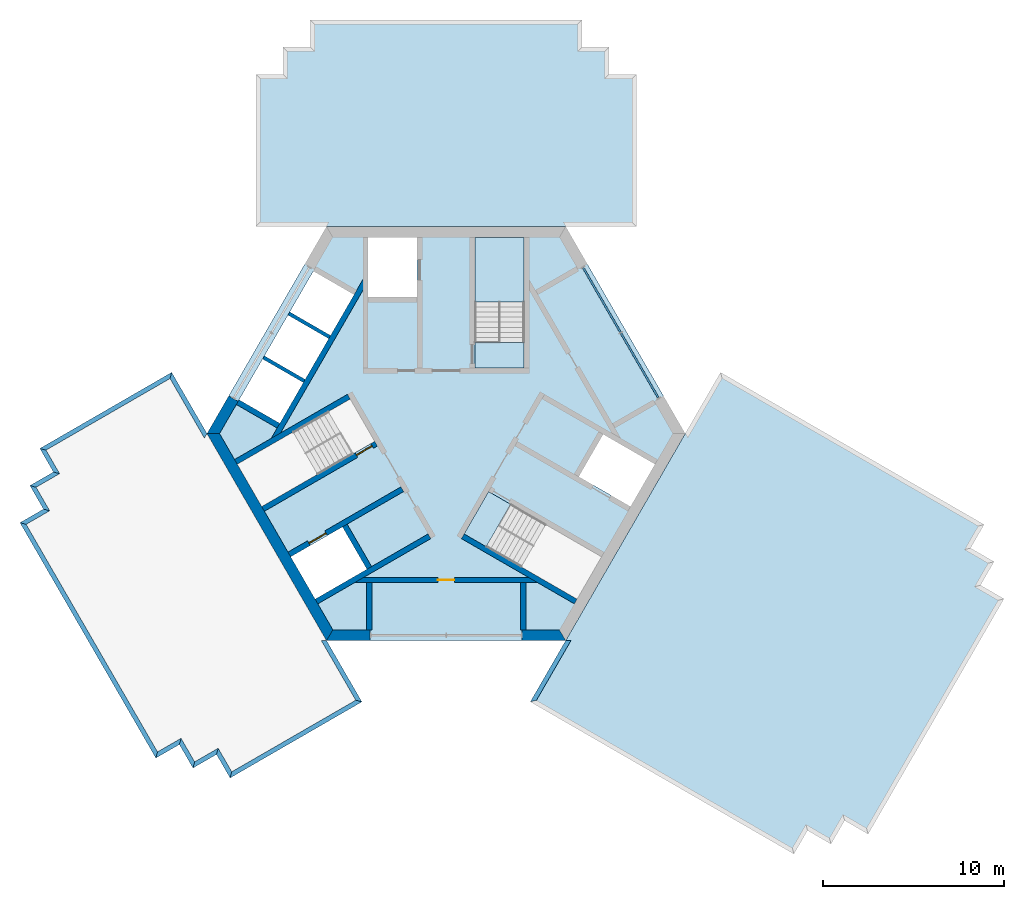
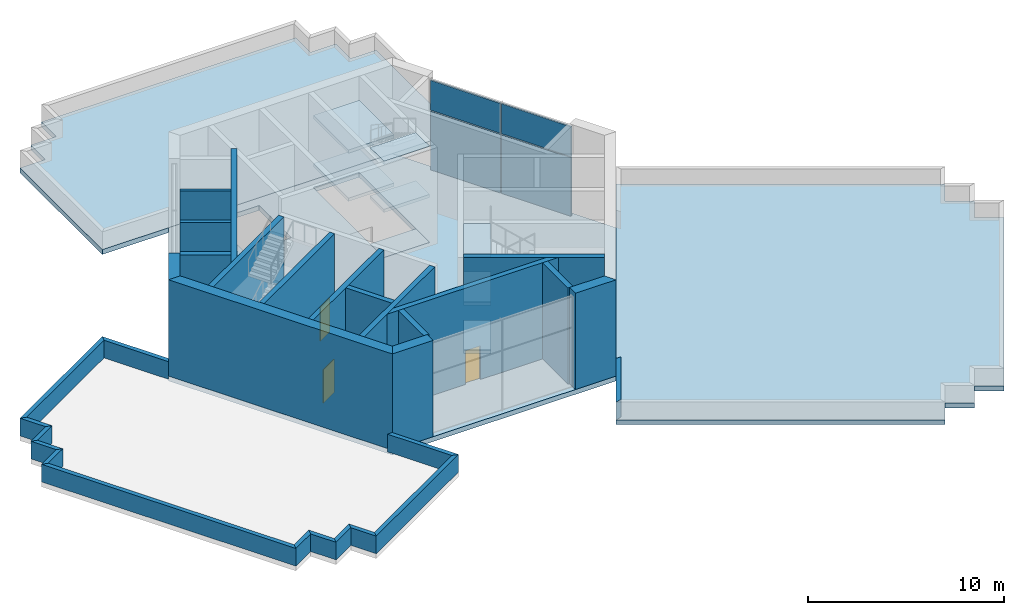
# One storey, part 2 of 5: 31 walls, 11 slabs, 4 plates, 3 doors, 3 openings, 3 elements without a shape of their own.
"""IFC4 building model written with IfcOpenShell, lengths in metres."""

from ifc_helpers import new_model, si_unit, direction, frame, frame_2d, origin, origin_2d, place, context, subcontext, project, spatial, polyline, rectangle, outline, extrude, material, layer, layer_set, type_object, element, fill, aggregate, save


model = new_model("IFC4")

# Units and contexts
model_context = context("Model", 3, precision=1e-05, world=origin(), true_north=direction((0.0, 1.0)))
body_context = subcontext(model_context, "Body", "Model", "MODEL_VIEW")
ifc_project = project(units=[si_unit("LENGTHUNIT", "METRE"), si_unit("AREAUNIT", "SQUARE_METRE"), si_unit("VOLUMEUNIT", "CUBIC_METRE"), si_unit("PLANEANGLEUNIT", "RADIAN"), si_unit("MASSUNIT", "GRAM", prefix="KILO")], contexts=[model_context])

# Site, building, storey
site_placement = place(None, origin())
site = spatial("IfcSite", under=ifc_project, at=site_placement, CompositionType="ELEMENT")
building_placement = place(site_placement, origin())
building = spatial("IfcBuilding", under=site, at=building_placement, Name="Impinga Residences", CompositionType="ELEMENT")
storey_placement = place(building_placement, frame((0.0, 0.0, 295.75)))
storey = spatial("IfcBuildingStorey", under=building, at=storey_placement, Name="L74", CompositionType="ELEMENT", Elevation=295.75)

# Curtain wall, plates
ifc_material_1 = material(Name="Aluminium stick curtain wall", Category="aluminium")
curtain_wall_type = type_object("IfcCurtainWallType", Name="CW4 plant floor louvred curtain wall", PredefinedType="USERDEFINED", material=ifc_material_1)
curtain_wall_placement = place(storey_placement, origin())
curtain_wall = element("IfcCurtainWall", 1, at=curtain_wall_placement, inside=storey, type_object=curtain_wall_type, Name="Curtain wall CW4 L74", ObjectType="STICK CURTAIN WALL", PredefinedType="USERDEFINED")
ifc_material_2 = material(Name="Aluminium louvre blade panel", Category="aluminium")
ifc_layer_1 = layer(ifc_material_2, 0.10009765625)
ifc_layer_set_1 = layer_set([ifc_layer_1], Name="CW4-P louvre panel 100")
plate_type = type_object("IfcPlateType", Name="CW4-P louvre panel 100", PredefinedType="CURTAIN_PANEL", material=ifc_layer_set_1)
plate_1_placement = place(storey_placement, frame((10.6826171875, 3.760009765625, 0.06005859375), z_axis=(0.0, 0.0, 1.0), x_axis=(-0.500000020194, 0.866025392126, 0.0)))
plate_1 = element("IfcPlate", 2, at=plate_1_placement, type_object=plate_type, Name="CW4 panel 1.1", PredefinedType="CURTAIN_PANEL", context=body_context, shape_type="SweptSolid", body=[
    extrude(rectangle(XDim=4.110107421875, YDim=0.10009765625, at=origin_2d()), origin(), (0.0, 0.0, 1.0), 3.659912109375),
])
plate_2_placement = place(storey_placement, frame((10.6826171875, 3.760009765625, 3.77978515625), z_axis=(0.0, 0.0, 1.0), x_axis=(-0.500000020194, 0.866025392126, 0.0)))
plate_2 = element("IfcPlate", 3, at=plate_2_placement, type_object=plate_type, Name="CW4 panel 1.2", PredefinedType="CURTAIN_PANEL", context=body_context, shape_type="SweptSolid", body=[
    extrude(rectangle(XDim=4.110107421875, YDim=0.10009765625, at=origin_2d()), origin(), (0.0, 0.0, 1.0), 1.860107421875),
])
plate_3_placement = place(storey_placement, frame((8.59765625, 7.371337890625, 0.06005859375), z_axis=(0.0, 0.0, 1.0), x_axis=(-0.500000020194, 0.866025392126, 0.0)))
plate_3 = element("IfcPlate", 4, at=plate_3_placement, type_object=plate_type, Name="CW4 panel 2.1", PredefinedType="CURTAIN_PANEL", context=body_context, shape_type="SweptSolid", body=[
    extrude(rectangle(XDim=4.110107421875, YDim=0.10009765625, at=origin_2d()), origin(), (0.0, 0.0, 1.0), 3.659912109375),
])
plate_4_placement = place(storey_placement, frame((8.59765625, 7.371337890625, 3.77978515625), z_axis=(0.0, 0.0, 1.0), x_axis=(-0.500000020194, 0.866025392126, 0.0)))
plate_4 = element("IfcPlate", 5, at=plate_4_placement, type_object=plate_type, Name="CW4 panel 2.2", PredefinedType="CURTAIN_PANEL", context=body_context, shape_type="SweptSolid", body=[
    extrude(rectangle(XDim=4.110107421875, YDim=0.10009765625, at=origin_2d()), origin(), (0.0, 0.0, 1.0), 1.860107421875),
])
aggregate(curtain_wall, [plate_1, plate_2, plate_3, plate_4])

# Slabs
ifc_material_3 = material(Name="Concrete C60/75", Category="concrete")
ifc_layer_2 = layer(ifc_material_3, 0.300048828125)
ifc_layer_set_2 = layer_set([ifc_layer_2], Name="Concrete C60/75")
slab_type_1 = type_object("IfcSlabType", Name="FS2 podium, plant and crown floor slab 300", PredefinedType="FLOOR", material=ifc_layer_set_2)
slab_1_placement = place(storey_placement, frame((0.0, 0.0, -0.300048828125)))
element("IfcSlab", 6, at=slab_1_placement, inside=storey, type_object=slab_type_1, Name="Floor slab FS2 L74", PredefinedType="FLOOR", context=body_context, shape_type="SweptSolid", body=[
    extrude(outline(polyline([(6.60009765625, -11.431640625), (-6.60009765625, -11.431640625), (-13.199951171875, 0.0), (-6.60009765625, 11.431640625), (6.60009765625, 11.431640625), (13.199951171875, 0.0), (6.60009765625, -11.431640625)]), holes=[polyline([(-8.580322265625, -6.801513671875), (-7.23046875, -9.1396484375), (-4.37109375, -7.489013671875), (-5.72119140625, -5.150634765625), (-8.580322265625, -6.801513671875)]), polyline([(7.23046875, -9.1396484375), (8.580322265625, -6.801513671875), (2.34375, -3.20068359375), (0.99365234375, -5.538818359375), (7.23046875, -9.1396484375)]), polyline([(10.180419921875, -4.030029296875), (11.5302734375, -1.69189453125), (8.671142578125, -0.041015625), (7.3212890625, -2.37939453125), (10.180419921875, -4.030029296875)]), polyline([(-11.5302734375, -1.69189453125), (-10.180419921875, -4.030029296875), (-3.943603515625, -0.429443359375), (-5.293701171875, 1.908935546875), (-11.5302734375, -1.69189453125)]), polyline([(-10.13037109375, 4.11669921875), (-11.430419921875, 1.864990234375), (-9.1787109375, 0.56494140625), (-7.878662109375, 2.816650390625), (-10.13037109375, 4.11669921875)]), polyline([(-8.73046875, 6.54150390625), (-10.0302734375, 4.2900390625), (-7.77880859375, 2.989990234375), (-6.478759765625, 5.24169921875), (-8.73046875, 6.54150390625)]), polyline([(-7.330322265625, 8.966552734375), (-8.63037109375, 6.71484375), (-6.378662109375, 5.414794921875), (-5.07861328125, 7.66650390625), (-7.330322265625, 8.966552734375)]), polyline([(4.300048828125, 3.6298828125), (4.300048828125, 10.83154296875), (1.60009765625, 10.83154296875), (1.60009765625, 3.6298828125), (4.300048828125, 3.6298828125)]), polyline([(-1.60009765625, 7.530029296875), (-1.60009765625, 10.83154296875), (-4.300048828125, 10.83154296875), (-4.300048828125, 7.530029296875), (-1.60009765625, 7.530029296875)])]), origin(), (0.0, 0.0, 1.0), 0.300048828125),
])
ifc_layer_3 = layer(ifc_material_3, 0.300048828125)
ifc_layer_set_3 = layer_set([ifc_layer_3], Name="Concrete C60/75")
slab_type_2 = type_object("IfcSlabType", Name="GS1 podium green roof slab 300", PredefinedType="ROOF", material=ifc_layer_set_3)
slab_2_placement = place(storey_placement, frame((0.0, 0.0, -0.300048828125)))
element("IfcSlab", 7, at=slab_2_placement, inside=storey, type_object=slab_type_2, Name="Roof GS1 L74", PredefinedType="ROOF", context=body_context, shape_type="SweptSolid", body=[
    extrude(outline(polyline([(28.94921875, -6.321533203125), (30.248291015625, -7.071533203125), (29.498291015625, -8.37060546875), (30.79736328125, -9.12060546875), (23.29736328125, -22.11083984375), (21.998291015625, -21.36083984375), (21.248291015625, -22.659912109375), (19.94921875, -21.909912109375), (19.19921875, -23.208984375), (4.64990234375, -14.80908203125), (6.599365234375, -11.4326171875), (6.60009765625, -11.4326171875), (6.60009765625, -11.4326171875), (6.60009765625, -11.4326171875), (6.600341796875, -11.432373046875), (6.600341796875, -11.432373046875), (6.600341796875, -11.432373046875), (6.6005859375, -11.432373046875), (6.6005859375, -11.432373046875), (6.6005859375, -11.432373046875), (6.600830078125, -11.43212890625), (6.600830078125, -11.43212890625), (6.600830078125, -11.43212890625), (13.200927734375, -0.00048828125), (13.200927734375, -0.00048828125), (13.200927734375, -0.000244140625), (13.200927734375, -0.000244140625), (13.200927734375, -0.000244140625), (13.200927734375, 0.0), (13.200927734375, 0.0), (13.200927734375, 0.000244140625), (13.200927734375, 0.000244140625), (13.200927734375, 0.000244140625), (13.200927734375, 0.00048828125), (13.200927734375, 0.00048828125), (13.20068359375, 0.0009765625), (15.14990234375, 3.37744140625), (29.69921875, -5.0224609375), (28.94921875, -6.321533203125)])), origin(), (0.0, 0.0, 1.0), 0.300048828125),
])
slab_3_placement = place(storey_placement, frame((0.0, 0.0, -0.300048828125)))
element("IfcSlab", 8, at=slab_3_placement, inside=storey, type_object=slab_type_2, Name="Roof GS1 L74", PredefinedType="ROOF", context=body_context, shape_type="SweptSolid", body=[
    extrude(outline(polyline([(-10.5, 11.431640625), (-10.5, 19.83154296875), (-9.0, 19.83154296875), (-9.0, 21.33154296875), (-7.5, 21.33154296875), (-7.5, 22.83154296875), (7.5, 22.83154296875), (7.5, 21.33154296875), (9.0, 21.33154296875), (9.0, 19.83154296875), (10.5, 19.83154296875), (10.5, 11.431640625), (6.60107421875, 11.431640625), (6.600830078125, 11.43212890625), (6.600830078125, 11.43212890625), (6.600830078125, 11.43212890625), (6.6005859375, 11.432373046875), (6.6005859375, 11.432373046875), (6.6005859375, 11.432373046875), (6.600341796875, 11.432373046875), (6.600341796875, 11.432373046875), (6.600341796875, 11.432373046875), (6.60009765625, 11.4326171875), (6.60009765625, 11.4326171875), (6.60009765625, 11.4326171875), (-6.60009765625, 11.4326171875), (-6.60009765625, 11.4326171875), (-6.60009765625, 11.4326171875), (-6.600341796875, 11.432373046875), (-6.600341796875, 11.432373046875), (-6.600341796875, 11.432373046875), (-6.6005859375, 11.432373046875), (-6.6005859375, 11.432373046875), (-6.6005859375, 11.432373046875), (-6.600830078125, 11.43212890625), (-6.600830078125, 11.43212890625), (-6.600830078125, 11.43212890625), (-6.60107421875, 11.431640625), (-10.5, 11.431640625)])), origin(), (0.0, 0.0, 1.0), 0.300048828125),
])

# Stair, slabs
ifc_material_4 = material(Name="Concrete C40/50", Category="concrete")
stair_type = type_object("IfcStairType", Name="STR core stair 6000 storey, 36 risers", PredefinedType="HALF_TURN_STAIR", material=ifc_material_4)
stair_1_placement = place(storey_placement, origin())
stair_1 = element("IfcStair", 9, at=stair_1_placement, inside=storey, type_object=stair_type, Name="Stair ST1 L74", PredefinedType="HALF_TURN_STAIR")
ifc_layer_4 = layer(ifc_material_4, 0.199951171875)
ifc_layer_set_4 = layer_set([ifc_layer_4], Name="Concrete C40/50")
slab_type_3 = type_object("IfcSlabType", Name="LS1 stair landing 200", PredefinedType="LANDING", material=ifc_layer_set_4)
slab_4_placement = place(storey_placement, frame((0.0, 0.0, -0.199951171875)))
slab_4 = element("IfcSlab", 10, at=slab_4_placement, type_object=slab_type_3, Name="ST1 landing 1", PredefinedType="LANDING", context=body_context, shape_type="SweptSolid", body=[
    extrude(outline(polyline([(1.60009765625, 3.6298828125), (4.300048828125, 3.6298828125), (4.300048828125, 5.0400390625), (1.60009765625, 5.0400390625), (1.60009765625, 3.6298828125)])), origin(), (0.0, 0.0, 1.0), 0.199951171875),
])
slab_5_placement = place(storey_placement, frame((0.0, 0.0, 1.300048828125)))
slab_5 = element("IfcSlab", 11, at=slab_5_placement, type_object=slab_type_3, Name="ST1 landing 2", PredefinedType="LANDING", context=body_context, shape_type="SweptSolid", body=[
    extrude(outline(polyline([(1.60009765625, 7.260009765625), (4.300048828125, 7.260009765625), (4.300048828125, 10.83154296875), (1.60009765625, 10.83154296875), (1.60009765625, 7.260009765625)])), origin(), (0.0, 0.0, 1.0), 0.199951171875),
])
slab_6_placement = place(storey_placement, frame((0.0, 0.0, 2.800048828125)))
slab_6 = element("IfcSlab", 12, at=slab_6_placement, type_object=slab_type_3, Name="ST1 landing 3", PredefinedType="LANDING", context=body_context, shape_type="SweptSolid", body=[
    extrude(outline(polyline([(1.60009765625, 3.6298828125), (4.300048828125, 3.6298828125), (4.300048828125, 5.0400390625), (1.60009765625, 5.0400390625), (1.60009765625, 3.6298828125)])), origin(), (0.0, 0.0, 1.0), 0.199951171875),
])
slab_7_placement = place(storey_placement, frame((0.0, 0.0, 4.300048828125)))
slab_7 = element("IfcSlab", 13, at=slab_7_placement, type_object=slab_type_3, Name="ST1 landing 4", PredefinedType="LANDING", context=body_context, shape_type="SweptSolid", body=[
    extrude(outline(polyline([(1.60009765625, 7.260009765625), (4.300048828125, 7.260009765625), (4.300048828125, 10.83154296875), (1.60009765625, 10.83154296875), (1.60009765625, 7.260009765625)])), origin(), (0.0, 0.0, 1.0), 0.199951171875),
])
slab_8_placement = place(storey_placement, frame((0.0, 0.0, 5.800048828125)))
slab_8 = element("IfcSlab", 14, at=slab_8_placement, type_object=slab_type_3, Name="ST1 landing 5", PredefinedType="LANDING", context=body_context, shape_type="SweptSolid", body=[
    extrude(outline(polyline([(1.60009765625, 3.6298828125), (4.300048828125, 3.6298828125), (4.300048828125, 5.0400390625), (1.60009765625, 5.0400390625), (1.60009765625, 3.6298828125)])), origin(), (0.0, 0.0, 1.0), 0.199951171875),
])
aggregate(stair_1, [slab_4, slab_5, slab_6, slab_7, slab_8])

stair_2_placement = place(storey_placement, origin())
stair_2 = element("IfcStair", 15, at=stair_2_placement, inside=storey, type_object=stair_type, Name="Stair ST3 L74", PredefinedType="HALF_TURN_STAIR")
slab_9_placement = place(storey_placement, frame((0.0, 0.0, -0.199951171875)))
slab_9 = element("IfcSlab", 16, at=slab_9_placement, type_object=slab_type_3, Name="ST3 landing 1", PredefinedType="LANDING", context=body_context, shape_type="SweptSolid", body=[
    extrude(outline(polyline([(2.34375, -3.20068359375), (0.99365234375, -5.538818359375), (2.21484375, -6.243896484375), (3.564697265625, -3.90576171875), (2.34375, -3.20068359375)])), origin(), (0.0, 0.0, 1.0), 0.199951171875),
])
slab_10_placement = place(storey_placement, frame((0.0, 0.0, 2.800048828125)))
slab_10 = element("IfcSlab", 17, at=slab_10_placement, type_object=slab_type_3, Name="ST3 landing 3", PredefinedType="LANDING", context=body_context, shape_type="SweptSolid", body=[
    extrude(outline(polyline([(2.34375, -3.20068359375), (0.99365234375, -5.538818359375), (2.21484375, -6.243896484375), (3.564697265625, -3.90576171875), (2.34375, -3.20068359375)])), origin(), (0.0, 0.0, 1.0), 0.199951171875),
])
slab_11_placement = place(storey_placement, frame((0.0, 0.0, 5.800048828125)))
slab_11 = element("IfcSlab", 18, at=slab_11_placement, type_object=slab_type_3, Name="ST3 landing 5", PredefinedType="LANDING", context=body_context, shape_type="SweptSolid", body=[
    extrude(outline(polyline([(2.34375, -3.20068359375), (0.99365234375, -5.538818359375), (2.21484375, -6.243896484375), (3.564697265625, -3.90576171875), (2.34375, -3.20068359375)])), origin(), (0.0, 0.0, 1.0), 0.199951171875),
])
aggregate(stair_2, [slab_9, slab_10, slab_11])

# Walls
ifc_layer_5 = layer(ifc_material_3, 0.25)
ifc_layer_set_5 = layer_set([ifc_layer_5], Name="Concrete C60/75")
wall_type_1 = type_object("IfcWallType", Name="PA1 roof parapet 250", PredefinedType="PARAPET", material=ifc_layer_set_5)
wall_1_placement = place(storey_placement, origin())
element("IfcWall", 19, at=wall_1_placement, inside=storey, type_object=wall_type_1, Name="Parapet PA1 L74", PredefinedType="PARAPET", context=body_context, shape_type="SweptSolid", body=[
    extrude(outline(polyline([(4.64990234375, -14.80908203125), (6.599365234375, -11.4326171875), (6.88818359375, -11.4326171875), (4.991455078125, -14.717529296875), (4.64990234375, -14.80908203125)])), origin(), (0.0, 0.0, 1.0), 1.10009765625),
])
wall_2_placement = place(storey_placement, origin())
element("IfcWall", 20, at=wall_2_placement, inside=storey, type_object=wall_type_1, Name="Parapet PA1 L74", PredefinedType="PARAPET", context=body_context, shape_type="SweptSolid", body=[
    extrude(outline(polyline([(-4.64990234375, -14.80908203125), (-11.924560546875, -19.009033203125), (-11.8330078125, -18.66748046875), (-4.991455078125, -14.717529296875), (-4.64990234375, -14.80908203125)])), origin(), (0.0, 0.0, 1.0), 1.10009765625),
])
wall_3_placement = place(storey_placement, origin())
element("IfcWall", 21, at=wall_3_placement, inside=storey, type_object=wall_type_1, Name="Parapet PA1 L74", PredefinedType="PARAPET", context=body_context, shape_type="SweptSolid", body=[
    extrude(outline(polyline([(-11.924560546875, -19.009033203125), (-12.674560546875, -17.7099609375), (-12.5830078125, -17.368408203125), (-11.8330078125, -18.66748046875), (-11.924560546875, -19.009033203125)])), origin(), (0.0, 0.0, 1.0), 1.10009765625),
])
wall_4_placement = place(storey_placement, origin())
element("IfcWall", 22, at=wall_4_placement, inside=storey, type_object=wall_type_1, Name="Parapet PA1 L74", PredefinedType="PARAPET", context=body_context, shape_type="SweptSolid", body=[
    extrude(outline(polyline([(-12.674560546875, -17.7099609375), (-13.9736328125, -18.4599609375), (-13.882080078125, -18.118408203125), (-12.5830078125, -17.368408203125), (-12.674560546875, -17.7099609375)])), origin(), (0.0, 0.0, 1.0), 1.10009765625),
])
wall_5_placement = place(storey_placement, origin())
element("IfcWall", 23, at=wall_5_placement, inside=storey, type_object=wall_type_1, Name="Parapet PA1 L74", PredefinedType="PARAPET", context=body_context, shape_type="SweptSolid", body=[
    extrude(outline(polyline([(-13.9736328125, -18.4599609375), (-14.7236328125, -17.160888671875), (-14.632080078125, -16.8193359375), (-13.882080078125, -18.118408203125), (-13.9736328125, -18.4599609375)])), origin(), (0.0, 0.0, 1.0), 1.10009765625),
])
wall_6_placement = place(storey_placement, origin())
element("IfcWall", 24, at=wall_6_placement, inside=storey, type_object=wall_type_1, Name="Parapet PA1 L74", PredefinedType="PARAPET", context=body_context, shape_type="SweptSolid", body=[
    extrude(outline(polyline([(-14.7236328125, -17.160888671875), (-16.022705078125, -17.910888671875), (-15.93115234375, -17.5693359375), (-14.632080078125, -16.8193359375), (-14.7236328125, -17.160888671875)])), origin(), (0.0, 0.0, 1.0), 1.10009765625),
])
wall_7_placement = place(storey_placement, origin())
element("IfcWall", 25, at=wall_7_placement, inside=storey, type_object=wall_type_1, Name="Parapet PA1 L74", PredefinedType="PARAPET", context=body_context, shape_type="SweptSolid", body=[
    extrude(outline(polyline([(-16.022705078125, -17.910888671875), (-23.522705078125, -4.920654296875), (-23.18115234375, -5.011962890625), (-15.93115234375, -17.5693359375), (-16.022705078125, -17.910888671875)])), origin(), (0.0, 0.0, 1.0), 1.10009765625),
])
wall_8_placement = place(storey_placement, origin())
element("IfcWall", 26, at=wall_8_placement, inside=storey, type_object=wall_type_1, Name="Parapet PA1 L74", PredefinedType="PARAPET", context=body_context, shape_type="SweptSolid", body=[
    extrude(outline(polyline([(-23.522705078125, -4.920654296875), (-22.2236328125, -4.170654296875), (-21.882080078125, -4.261962890625), (-23.18115234375, -5.011962890625), (-23.522705078125, -4.920654296875)])), origin(), (0.0, 0.0, 1.0), 1.10009765625),
])
wall_9_placement = place(storey_placement, origin())
element("IfcWall", 27, at=wall_9_placement, inside=storey, type_object=wall_type_1, Name="Parapet PA1 L74", PredefinedType="PARAPET", context=body_context, shape_type="SweptSolid", body=[
    extrude(outline(polyline([(-22.2236328125, -4.170654296875), (-22.9736328125, -2.87158203125), (-22.632080078125, -2.963134765625), (-21.882080078125, -4.261962890625), (-22.2236328125, -4.170654296875)])), origin(), (0.0, 0.0, 1.0), 1.10009765625),
])
wall_10_placement = place(storey_placement, origin())
element("IfcWall", 28, at=wall_10_placement, inside=storey, type_object=wall_type_1, Name="Parapet PA1 L74", PredefinedType="PARAPET", context=body_context, shape_type="SweptSolid", body=[
    extrude(outline(polyline([(-22.9736328125, -2.87158203125), (-21.674560546875, -2.12158203125), (-21.3330078125, -2.213134765625), (-22.632080078125, -2.963134765625), (-22.9736328125, -2.87158203125)])), origin(), (0.0, 0.0, 1.0), 1.10009765625),
])
wall_11_placement = place(storey_placement, origin())
element("IfcWall", 29, at=wall_11_placement, inside=storey, type_object=wall_type_1, Name="Parapet PA1 L74", PredefinedType="PARAPET", context=body_context, shape_type="SweptSolid", body=[
    extrude(outline(polyline([(-21.674560546875, -2.12158203125), (-22.424560546875, -0.822509765625), (-22.0830078125, -0.9140625), (-21.3330078125, -2.213134765625), (-21.674560546875, -2.12158203125)])), origin(), (0.0, 0.0, 1.0), 1.10009765625),
])
wall_12_placement = place(storey_placement, origin())
element("IfcWall", 30, at=wall_12_placement, inside=storey, type_object=wall_type_1, Name="Parapet PA1 L74", PredefinedType="PARAPET", context=body_context, shape_type="SweptSolid", body=[
    extrude(outline(polyline([(-22.424560546875, -0.822509765625), (-15.14990234375, 3.37744140625), (-15.241455078125, 3.035888671875), (-22.0830078125, -0.9140625), (-22.424560546875, -0.822509765625)])), origin(), (0.0, 0.0, 1.0), 1.10009765625),
])
wall_13_placement = place(storey_placement, origin())
element("IfcWall", 31, at=wall_13_placement, inside=storey, type_object=wall_type_1, Name="Parapet PA1 L74", PredefinedType="PARAPET", context=body_context, shape_type="SweptSolid", body=[
    extrude(outline(polyline([(-15.14990234375, 3.37744140625), (-13.20068359375, 0.0009765625), (-13.344970703125, -0.2490234375), (-15.241455078125, 3.035888671875), (-15.14990234375, 3.37744140625)])), origin(), (0.0, 0.0, 1.0), 1.10009765625),
])
wall_14_placement = place(storey_placement, origin())
element("IfcWall", 32, at=wall_14_placement, inside=storey, type_object=wall_type_1, Name="Parapet PA1 L74", PredefinedType="PARAPET", context=body_context, shape_type="SweptSolid", body=[
    extrude(outline(polyline([(-6.599365234375, -11.4326171875), (-4.64990234375, -14.80908203125), (-4.991455078125, -14.717529296875), (-6.88818359375, -11.4326171875), (-6.599365234375, -11.4326171875)])), origin(), (0.0, 0.0, 1.0), 1.10009765625),
])
ifc_layer_6 = layer(ifc_material_3, 0.60009765625)
ifc_layer_set_6 = layer_set([ifc_layer_6], Name="Concrete C60/75")
wall_type_2 = type_object("IfcWallType", Name="SW4 core wall, crown 600", PredefinedType="SHEAR", material=ifc_layer_set_6)
wall_15_placement = place(storey_placement, origin())
element("IfcWall", 33, at=wall_15_placement, inside=storey, type_object=wall_type_2, Name="Core wall SW4 W:FACE L74", PredefinedType="SHEAR", context=body_context, shape_type="SweptSolid", body=[
    extrude(outline(polyline([(-6.60009765625, -11.431640625), (-13.199951171875, 0.0), (-12.507080078125, 0.0), (-6.253662109375, -10.83154296875), (-6.60009765625, -11.431640625)])), origin(), (0.0, 0.0, 1.0), 6.0),
])
wall_16_placement = place(storey_placement, origin())
element("IfcWall", 34, at=wall_16_placement, inside=storey, type_object=wall_type_2, Name="Core wall SW4 N:EXPOSED:1 L74", PredefinedType="SHEAR", context=body_context, shape_type="SweptSolid", body=[
    extrude(outline(polyline([(-6.60009765625, -11.431640625), (-4.199951171875, -11.431640625), (-4.199951171875, -10.83154296875), (-6.253662109375, -10.83154296875), (-6.60009765625, -11.431640625)])), origin(), (0.0, 0.0, 1.0), 6.0),
])
wall_17_placement = place(storey_placement, origin())
element("IfcWall", 35, at=wall_17_placement, inside=storey, type_object=wall_type_2, Name="Core wall SW4 N:EXPOSED:2 L74", PredefinedType="SHEAR", context=body_context, shape_type="SweptSolid", body=[
    extrude(outline(polyline([(4.199951171875, -11.431640625), (6.60009765625, -11.431640625), (6.253662109375, -10.83154296875), (4.199951171875, -10.83154296875), (4.199951171875, -11.431640625)])), origin(), (0.0, 0.0, 1.0), 6.0),
])
wall_18_placement = place(storey_placement, origin())
element("IfcWall", 36, at=wall_18_placement, inside=storey, type_object=wall_type_2, Name="Core wall SW4 E:EXPOSED:2 L74", PredefinedType="SHEAR", context=body_context, shape_type="SweptSolid", body=[
    extrude(outline(polyline([(-12.0, 2.078369140625), (-13.199951171875, 0.0), (-12.507080078125, 0.0), (-11.48046875, 1.778564453125), (-12.0, 2.078369140625)])), origin(), (0.0, 0.0, 1.0), 6.0),
])

# Wall, opening, door
ifc_material_5 = material(Name="Concrete C70/85", Category="concrete")
ifc_layer_7 = layer(ifc_material_5, 0.300048828125)
ifc_layer_set_7 = layer_set([ifc_layer_7], Name="Concrete C70/85")
wall_type_3 = type_object("IfcWallType", Name="SW5 core inner wall, stairs, shafts and lobbies 300", PredefinedType="SHEAR", material=ifc_layer_set_7)
wall_19_placement = place(storey_placement, frame((-3.86865234375, -0.559326171875, 0.0), z_axis=(0.0, 0.0, 1.0), x_axis=(-0.866039935929, -0.499974828743, 0.0)))
wall_19 = element("IfcWall", 37, at=wall_19_placement, inside=storey, type_object=wall_type_3, Name="Core wall SW5 W:ST-IN L74", PredefinedType="SHEAR", context=body_context, shape_type="SweptSolid", body=[
    extrude(rectangle(XDim=7.201416015625, YDim=0.300048828125, at=frame_2d((3.6005859375, 0.0))), origin(), (0.0, 0.0, 1.0), 6.0),
])
opening_1_placement = place(wall_19_placement, frame((0.25, 0.0, 0.0)))
opening_1 = element("IfcOpeningElement", 38, at=opening_1_placement, cuts=wall_19, Name="Opening D5", PredefinedType="OPENING", context=body_context, shape_type="SweptSolid", body=[
    extrude(rectangle(XDim=1.0, YDim=2.10009765625, at=frame_2d((0.5, 1.050048828125))), frame((0.0, 0.159912109375, 0.0), z_axis=(0.0, -1.0, 0.0), x_axis=(1.0, 0.0, 0.0)), (0.0, 0.0, 1.0), 0.320068359375),
])
ifc_material_6 = material(Name="Timber door set", Category="wood")
door_type_1 = type_object("IfcDoorType", Name="D5 stair door 1000x2100", OperationType="SINGLE_SWING_LEFT", PredefinedType="DOOR", material=ifc_material_6)
door_1_placement = place(opening_1_placement, origin())
door_1 = element("IfcDoor", 39, at=door_1_placement, inside=storey, type_object=door_type_1, Name="Stair door W", OperationType="SINGLE_SWING_LEFT", OverallHeight=2.10009765625, OverallWidth=1.0, PredefinedType="DOOR", context=body_context, shape_type="SweptSolid", body=[
    extrude(rectangle(XDim=1.0, YDim=2.10009765625, at=frame_2d((0.5, 1.050048828125))), frame((0.0, 0.02490234375, 0.0), z_axis=(0.0, -1.0, 0.0), x_axis=(1.0, 0.0, 0.0)), (0.0, 0.0, 1.0), 0.050048828125),
])
fill(opening_1, door_1)

# Wall
wall_20_placement = place(storey_placement, frame((-5.36865234375, 2.038818359375, 0.0), z_axis=(0.0, 0.0, 1.0), x_axis=(-0.866025256649, -0.500000254847, 0.0)))
element("IfcWall", 40, at=wall_20_placement, inside=storey, type_object=wall_type_3, Name="Core wall SW5 W:ST-OUT L74", PredefinedType="SHEAR", context=body_context, shape_type="SweptSolid", body=[
    extrude(rectangle(XDim=7.20166015625, YDim=0.300048828125, at=frame_2d((3.600830078125, 0.0))), origin(), (0.0, 0.0, 1.0), 6.0),
])

# Wall, opening, door
wall_21_placement = place(storey_placement, frame((-2.418701171875, -3.07080078125, 0.0), z_axis=(0.0, 0.0, 1.0), x_axis=(-0.86603146111, -0.499989508258, 0.0)))
wall_21 = element("IfcWall", 41, at=wall_21_placement, inside=storey, type_object=wall_type_3, Name="Core wall SW5 W:FF-IN L74", PredefinedType="SHEAR", context=body_context, shape_type="SweptSolid", body=[
    extrude(rectangle(XDim=7.201416015625, YDim=0.300048828125, at=frame_2d((3.6005859375, 0.0))), origin(), (0.0, 0.0, 1.0), 6.0),
])
opening_2_placement = place(wall_21_placement, frame((4.85009765625, 0.0, 0.0)))
opening_2 = element("IfcOpeningElement", 42, at=opening_2_placement, cuts=wall_21, Name="Opening LD2", PredefinedType="OPENING", context=body_context, shape_type="SweptSolid", body=[
    extrude(rectangle(XDim=1.10009765625, YDim=2.10009765625, at=frame_2d((0.550048828125, 1.050048828125))), frame((0.0, 0.159912109375, 0.0), z_axis=(0.0, -1.0, 0.0), x_axis=(1.0, 0.0, 0.0)), (0.0, 0.0, 1.0), 0.320068359375),
])
ifc_material_7 = material(Name="Steel lift landing door", Category="steel")
door_type_2 = type_object("IfcDoorType", Name="LD2 firefighting lift landing door 1100x2100", OperationType="DOUBLE_DOOR_SLIDING", PredefinedType="DOOR", material=ifc_material_7)
door_2_placement = place(opening_2_placement, origin())
door_2 = element("IfcDoor", 43, at=door_2_placement, inside=storey, type_object=door_type_2, Name="Firefighting lift landing door F2", OperationType="DOUBLE_DOOR_SLIDING", OverallHeight=2.10009765625, OverallWidth=1.10009765625, PredefinedType="DOOR", context=body_context, shape_type="SweptSolid", body=[
    extrude(rectangle(XDim=1.10009765625, YDim=2.10009765625, at=frame_2d((0.550048828125, 1.050048828125))), frame((0.0, 0.02490234375, 0.0), z_axis=(0.0, -1.0, 0.0), x_axis=(1.0, 0.0, 0.0)), (0.0, 0.0, 1.0), 0.050048828125),
])
fill(opening_2, door_2)

# Walls
wall_22_placement = place(storey_placement, frame((-0.918701171875, -5.668701171875, 0.0), z_axis=(0.0, 0.0, 1.0), x_axis=(-0.866016781112, -0.50001493461, 0.0)))
element("IfcWall", 44, at=wall_22_placement, inside=storey, type_object=wall_type_3, Name="Core wall SW5 W:FF-OUT L74", PredefinedType="SHEAR", context=body_context, shape_type="SweptSolid", body=[
    extrude(rectangle(XDim=7.201416015625, YDim=0.300048828125, at=frame_2d((3.6005859375, 0.0))), origin(), (0.0, 0.0, 1.0), 6.0),
])
wall_23_placement = place(storey_placement, frame((-4.2412109375, -7.413818359375, 0.0), z_axis=(0.0, 0.0, 1.0), x_axis=(-0.500048589285, 0.86599734893, 0.0)))
element("IfcWall", 45, at=wall_23_placement, inside=storey, type_object=wall_type_3, Name="Core wall SW5 W:FF-RS L74", PredefinedType="SHEAR", context=body_context, shape_type="SweptSolid", body=[
    extrude(rectangle(XDim=2.699951171875, YDim=0.300048828125, at=frame_2d((1.35009765625, 0.0))), origin(), (0.0, 0.0, 1.0), 6.0),
])
wall_24_placement = place(storey_placement, frame((0.918701171875, -5.668701171875, 0.0), z_axis=(0.0, 0.0, 1.0), x_axis=(0.866016781112, -0.50001493461, 0.0)))
element("IfcWall", 46, at=wall_24_placement, inside=storey, type_object=wall_type_3, Name="Core wall SW5 E:ST-OUT L74", PredefinedType="SHEAR", context=body_context, shape_type="SweptSolid", body=[
    extrude(rectangle(XDim=7.201416015625, YDim=0.300048828125, at=frame_2d((3.6005859375, 0.0))), origin(), (0.0, 0.0, 1.0), 6.0),
])

# Wall, opening, door
wall_25_placement = place(storey_placement, frame((5.09765625, -8.08154296875, 0.0), z_axis=(0.0, 0.0, 1.0), x_axis=(-1.0, 0.0, 0.0)))
wall_25 = element("IfcWall", 47, at=wall_25_placement, inside=storey, type_object=wall_type_3, Name="Core wall SW5 N:BANK-FRONT L74", PredefinedType="SHEAR", context=body_context, shape_type="SweptSolid", body=[
    extrude(rectangle(XDim=10.1953125, YDim=0.300048828125, at=frame_2d((5.09765625, 0.0))), origin(), (0.0, 0.0, 1.0), 6.0),
])
opening_3_placement = place(wall_25_placement, frame((4.647705078125, 0.0, 0.0)))
opening_3 = element("IfcOpeningElement", 48, at=opening_3_placement, cuts=wall_25, Name="Opening D6", PredefinedType="OPENING", context=body_context, shape_type="SweptSolid", body=[
    extrude(rectangle(XDim=0.89990234375, YDim=2.10009765625, at=frame_2d((0.449951171875, 1.050048828125))), frame((0.0, 0.159912109375, 0.0), z_axis=(0.0, -1.0, 0.0), x_axis=(1.0, 0.0, 0.0)), (0.0, 0.0, 1.0), 0.320068359375),
])
door_type_3 = type_object("IfcDoorType", Name="D6 riser and store door 900x2100", OperationType="SINGLE_SWING_LEFT", PredefinedType="DOOR", material=ifc_material_6)
door_3_placement = place(opening_3_placement, origin())
door_3 = element("IfcDoor", 49, at=door_3_placement, inside=storey, type_object=door_type_3, Name="Booster pump plant room door", OperationType="SINGLE_SWING_LEFT", OverallHeight=2.10009765625, OverallWidth=0.89990234375, PredefinedType="DOOR", context=body_context, shape_type="SweptSolid", body=[
    extrude(rectangle(XDim=0.89990234375, YDim=2.10009765625, at=frame_2d((0.449951171875, 1.050048828125))), frame((0.0, 0.02490234375, 0.0), z_axis=(0.0, -1.0, 0.0), x_axis=(1.0, 0.0, 0.0)), (0.0, 0.0, 1.0), 0.050048828125),
])
fill(opening_3, door_3)

# Walls
for number, where, z_axis, x_axis, name in (
    (50, (4.25, -8.2314453125, 0.0), (0.0, 0.0, 1.0), (0.0, -1.0, 0.0), "Core wall SW5 N:BANK-L L74"),
    (51, (-4.25, -8.2314453125, 0.0), (0.0, 0.0, 1.0), (0.0, -1.0, 0.0), "Core wall SW5 N:BANK-R L74"),
):
    element("IfcWall", number, at=place(storey_placement, frame(where, z_axis=z_axis, x_axis=x_axis)), inside=storey, type_object=wall_type_3, Name=name, PredefinedType="SHEAR", context=body_context, shape_type="SweptSolid", body=[
        extrude(rectangle(XDim=2.60009765625, YDim=0.300048828125, at=frame_2d((1.300048828125, 0.0))), origin(), (0.0, 0.0, 1.0), 6.0),
    ])
wall_26_placement = place(storey_placement, frame((-9.547607421875, -0.3740234375, 0.0), z_axis=(0.0, 0.0, 1.0), x_axis=(0.500002290144, 0.866024081565, 0.0)))
element("IfcWall", 52, at=wall_26_placement, inside=storey, type_object=wall_type_3, Name="Core wall SW5 E:BANK-FRONT L74", PredefinedType="SHEAR", context=body_context, shape_type="SweptSolid", body=[
    extrude(rectangle(XDim=10.1953125, YDim=0.300048828125, at=frame_2d((5.09765625, 0.0))), origin(), (0.0, 0.0, 1.0), 6.0),
])
wall_27_placement = place(storey_placement, frame((-9.253662109375, 0.43505859375, 0.0), z_axis=(0.0, 0.0, 1.0), x_axis=(-0.866021400173, 0.500006934395, 0.0)))
element("IfcWall", 53, at=wall_27_placement, inside=storey, type_object=wall_type_3, Name="Core wall SW5 E:BANK-L L74", PredefinedType="SHEAR", context=body_context, shape_type="SweptSolid", body=[
    extrude(rectangle(XDim=2.60009765625, YDim=0.300048828125, at=frame_2d((1.300048828125, 0.0))), origin(), (0.0, 0.0, 1.0), 6.0),
])
ifc_layer_8 = layer(ifc_material_5, 0.199951171875)
ifc_layer_set_8 = layer_set([ifc_layer_8], Name="Concrete C70/85")
wall_type_4 = type_object("IfcWallType", Name="SW6 lift shaft divider wall 200", PredefinedType="SHEAR", material=ifc_layer_set_8)
for number, where, z_axis, x_axis, name in (
    (54, (-7.82861328125, 2.9033203125, 0.0), (0.0, 0.0, 1.0), (-0.866021400173, 0.500006934395, 0.0), "Core wall SW6 E:BANK-D1 L74"),
    (55, (-6.4287109375, 5.328125, 0.0), (0.0, 0.0, 1.0), (-0.866021400173, 0.500006934395, 0.0), "Core wall SW6 E:BANK-D2 L74"),
):
    element("IfcWall", number, at=place(storey_placement, frame(where, z_axis=z_axis, x_axis=x_axis)), inside=storey, type_object=wall_type_4, Name=name, PredefinedType="SHEAR", context=body_context, shape_type="SweptSolid", body=[
        extrude(rectangle(XDim=2.60009765625, YDim=0.199951171875, at=frame_2d((1.300048828125, 0.0))), origin(), (0.0, 0.0, 1.0), 6.0),
    ])

save(model, "model.ifc")
